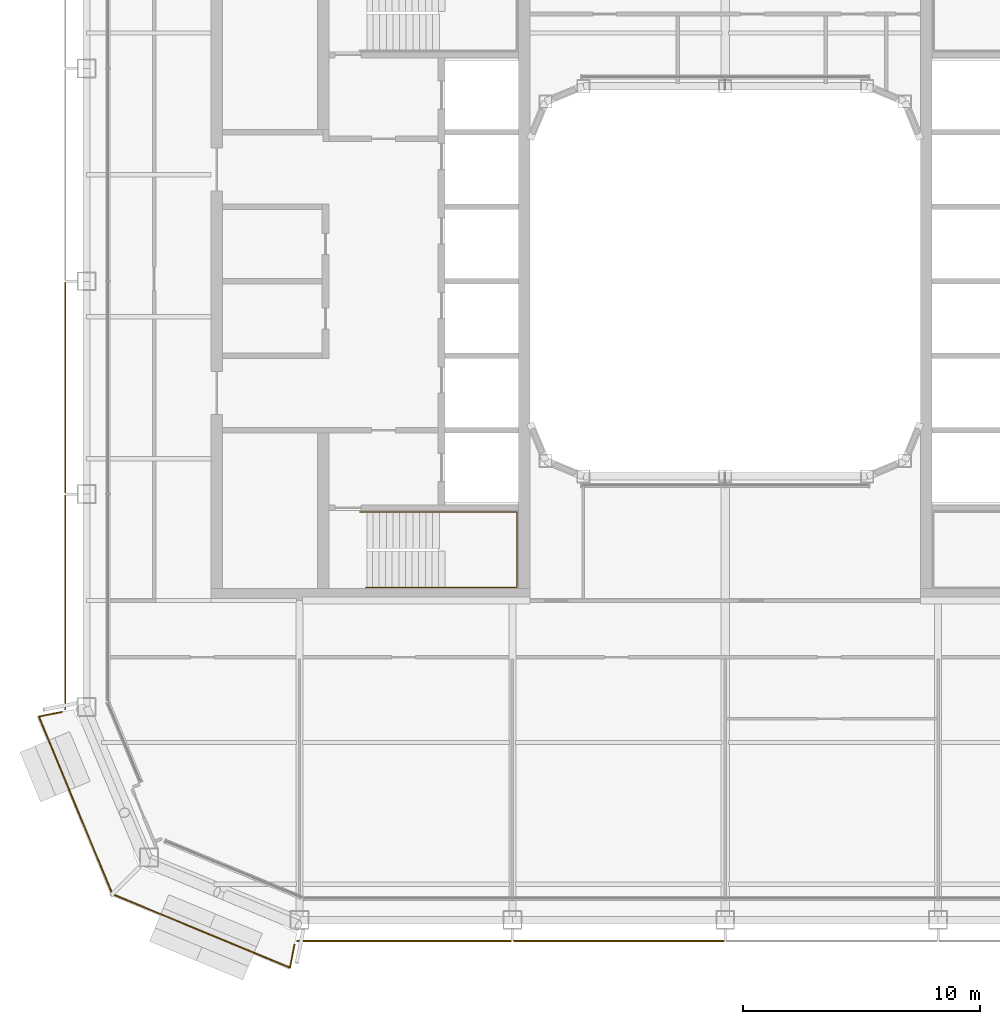
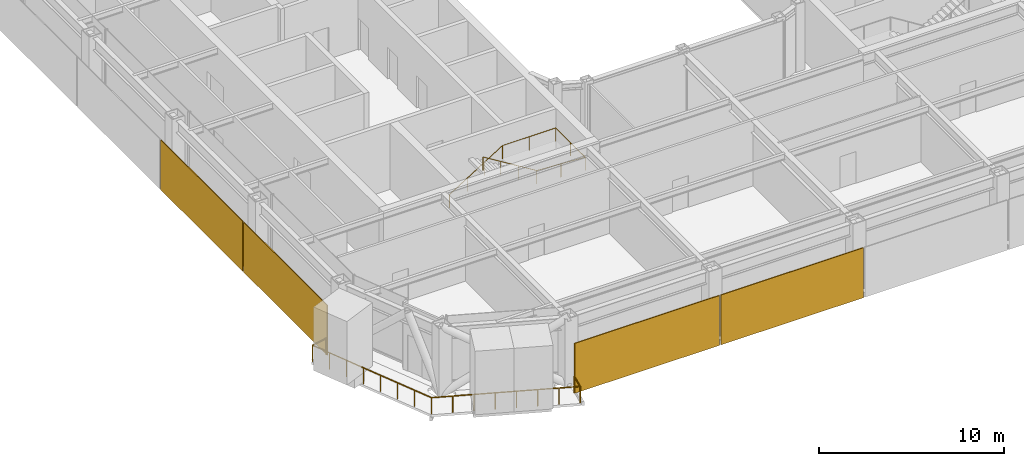
# One storey, part 19 of 23: 4 coverings, 2 railings.
"""IFC4 building model written with IfcOpenShell, lengths in metres."""

from ifc_helpers import new_model, si_unit, direction, frame, origin, origin_2d, place, context, subcontext, project, spatial, rectangle, circle, extrude, material, layer, layer_set, type_object, element, save


model = new_model("IFC4")

# Units and contexts
model_context = context("Model", 3, precision=1e-05, world=origin(), true_north=direction((0.0, 1.0)))
body_context = subcontext(model_context, "Body", "Model", "MODEL_VIEW")
ifc_project = project(units=[si_unit("LENGTHUNIT", "METRE"), si_unit("AREAUNIT", "SQUARE_METRE"), si_unit("VOLUMEUNIT", "CUBIC_METRE"), si_unit("PLANEANGLEUNIT", "RADIAN"), si_unit("MASSUNIT", "GRAM", prefix="KILO")], contexts=[model_context])

# Site, building, storey
site_placement = place(None, origin())
site = spatial("IfcSite", under=ifc_project, at=site_placement, CompositionType="ELEMENT")
building_placement = place(site_placement, origin())
building = spatial("IfcBuilding", under=site, at=building_placement, Name="Siwar Civic Tower", CompositionType="ELEMENT")
storey_placement = place(building_placement, frame((0.0, 0.0, 251.199951171875)))
storey = spatial("IfcBuildingStorey", under=building, at=storey_placement, Name="L54", CompositionType="ELEMENT", Elevation=251.199951171875)

# Railings
ifc_material_1 = material(Name="Stainless steel", Category="steel")
railing_type_1 = type_object("IfcRailingType", Name="CORE-STAIR-HANDRAIL", PredefinedType="HANDRAIL", material=ifc_material_1)
railing_1_placement = place(storey_placement, frame((-15.449951171875, -9.758056640625, 0.173095703125)))
element("IfcRailing", 1, at=railing_1_placement, inside=storey, type_object=railing_type_1, Name="Stair handrail ST2", PredefinedType="HANDRAIL", context=body_context, shape_type="SweptSolid", body=[
    extrude(circle(Radius=0.02001953125, at=origin_2d()), frame((0.0, 0.0, 0.8798828125), z_axis=(0.847063342986, 0.0, 0.531491950051), x_axis=(0.0, 1.0, 0.0)), (0.0, 0.0, 1.0), 3.90771484375),
    extrude(circle(Radius=0.02001953125, at=origin_2d()), frame((3.31005859375, 0.0, 2.956787109375), z_axis=(1.0, 0.0, 0.0), x_axis=(0.0, 1.0, 0.0)), (0.0, 0.0, 1.0), 3.331787109375),
    extrude(circle(Radius=0.02001953125, at=origin_2d()), frame((6.641845703125, 0.0, 2.956787109375), z_axis=(0.0, -1.0, 0.0), x_axis=(1.0, 0.0, 0.0)), (0.0, 0.0, 1.0), 3.183837890625),
    extrude(circle(Radius=0.02001953125, at=origin_2d()), frame((6.641845703125, -3.183837890625, 2.956787109375), z_axis=(-0.99837434197, 0.0, 0.056997134106), x_axis=(0.0, -1.0, 0.0)), (0.0, 0.0, 1.0), 3.036865234375),
    extrude(circle(Radius=0.02001953125, at=origin_2d()), frame((3.60986328125, -3.183837890625, 3.1298828125), z_axis=(-0.850606129759, 0.0, 0.525803396734), x_axis=(0.0, -1.0, 0.0)), (0.0, 0.0, 1.0), 3.949951171875),
    extrude(circle(Radius=0.02001953125, at=origin_2d()), origin(), (0.0, 0.0, 1.0), 0.85986328125),
    extrude(circle(Radius=0.02001953125, at=origin_2d()), frame((1.103271484375, 0.0, 0.6923828125)), (0.0, 0.0, 1.0), 0.85986328125),
    extrude(circle(Radius=0.02001953125, at=origin_2d()), frame((2.206787109375, 0.0, 1.384521484375)), (0.0, 0.0, 1.0), 0.85986328125),
    extrude(circle(Radius=0.02001953125, at=origin_2d()), frame((3.31005859375, 0.0, 2.076904296875)), (0.0, 0.0, 1.0), 0.85986328125),
    extrude(circle(Radius=0.02001953125, at=origin_2d()), frame((4.97607421875, 0.0, 2.076904296875)), (0.0, 0.0, 1.0), 0.85986328125),
    extrude(circle(Radius=0.02001953125, at=origin_2d()), frame((6.641845703125, 0.0, 2.076904296875)), (0.0, 0.0, 1.0), 0.85986328125),
    extrude(circle(Radius=0.02001953125, at=origin_2d()), frame((6.641845703125, -1.591796875, 2.076904296875)), (0.0, 0.0, 1.0), 0.85986328125),
    extrude(circle(Radius=0.02001953125, at=origin_2d()), frame((6.641845703125, -3.183837890625, 2.076904296875)), (0.0, 0.0, 1.0), 0.85986328125),
    extrude(circle(Radius=0.02001953125, at=origin_2d()), frame((5.1259765625, -3.183837890625, 2.16357421875)), (0.0, 0.0, 1.0), 0.85986328125),
    extrude(circle(Radius=0.02001953125, at=origin_2d()), frame((3.60986328125, -3.183837890625, 2.25)), (0.0, 0.0, 1.0), 0.85986328125),
    extrude(circle(Radius=0.02001953125, at=origin_2d()), frame((2.489990234375, -3.183837890625, 2.9423828125)), (0.0, 0.0, 1.0), 0.85986328125),
    extrude(circle(Radius=0.02001953125, at=origin_2d()), frame((1.369873046875, -3.183837890625, 3.634521484375)), (0.0, 0.0, 1.0), 0.85986328125),
    extrude(circle(Radius=0.02001953125, at=origin_2d()), frame((0.25, -3.183837890625, 4.326904296875)), (0.0, 0.0, 1.0), 0.85986328125),
])
ifc_material_2 = material(Name="Stainless steel 316", Category="steel")
railing_type_2 = type_object("IfcRailingType", Name="ENV-GUARD", PredefinedType="GUARDRAIL", material=ifc_material_2)
railing_2_placement = place(storey_placement, frame((-28.047119140625, -18.208251953125, 0.0)))
element("IfcRailing", 2, at=railing_2_placement, inside=storey, type_object=railing_type_2, Name="Balcony guard SW", PredefinedType="GUARDRAIL", context=body_context, shape_type="SweptSolid", body=[
    extrude(circle(Radius=0.02392578125, at=origin_2d()), frame((0.0, 0.0, 1.076171875), z_axis=(-0.980778661911, -0.195123592472, 0.0), x_axis=(0.195123592472, -0.980778661911, 0.0)), (0.0, 0.0, 1.0), 0.993408203125),
    extrude(circle(Radius=0.02392578125, at=origin_2d()), frame((-0.974365234375, -0.19384765625, 1.076171875), z_axis=(0.382176720888, -0.924089256518, 0.0), x_axis=(0.924089256518, 0.382176720888, 0.0)), (0.0, 0.0, 1.0), 8.129638671875),
    extrude(circle(Radius=0.02392578125, at=origin_2d()), frame((2.132568359375, -7.706298828125, 1.076171875), z_axis=(0.924089256518, -0.382176720888, 0.0), x_axis=(0.382176720888, 0.924089256518, 0.0)), (0.0, 0.0, 1.0), 8.129638671875),
    extrude(circle(Radius=0.02392578125, at=origin_2d()), frame((9.64501953125, -10.813232421875, 1.076171875), z_axis=(0.195123592472, 0.980778661911, 0.0), x_axis=(-0.980778661911, 0.195123592472, 0.0)), (0.0, 0.0, 1.0), 0.993408203125),
    extrude(circle(Radius=0.02099609375, at=origin_2d()), origin(), (0.0, 0.0, 1.0), 1.052001953125),
    extrude(circle(Radius=0.02099609375, at=origin_2d()), frame((-0.974365234375, -0.19384765625, 0.0)), (0.0, 0.0, 1.0), 1.052001953125),
    extrude(circle(Radius=0.02099609375, at=origin_2d()), frame((-0.530517578125, -1.26708984375, 0.0)), (0.0, 0.0, 1.0), 1.052001953125),
    extrude(circle(Radius=0.02099609375, at=origin_2d()), frame((-0.086669921875, -2.34033203125, 0.0)), (0.0, 0.0, 1.0), 1.052001953125),
    extrude(circle(Radius=0.02099609375, at=origin_2d()), frame((0.357177734375, -3.41357421875, 0.0)), (0.0, 0.0, 1.0), 1.052001953125),
    extrude(circle(Radius=0.02099609375, at=origin_2d()), frame((0.801025390625, -4.486572265625, 0.0)), (0.0, 0.0, 1.0), 1.052001953125),
    extrude(circle(Radius=0.02099609375, at=origin_2d()), frame((1.244873046875, -5.559814453125, 0.0)), (0.0, 0.0, 1.0), 1.052001953125),
    extrude(circle(Radius=0.02099609375, at=origin_2d()), frame((1.688720703125, -6.633056640625, 0.0)), (0.0, 0.0, 1.0), 1.052001953125),
    extrude(circle(Radius=0.02099609375, at=origin_2d()), frame((2.132568359375, -7.706298828125, 0.0)), (0.0, 0.0, 1.0), 1.052001953125),
    extrude(circle(Radius=0.02099609375, at=origin_2d()), frame((3.205810546875, -8.150146484375, 0.0)), (0.0, 0.0, 1.0), 1.052001953125),
    extrude(circle(Radius=0.02099609375, at=origin_2d()), frame((4.279052734375, -8.593994140625, 0.0)), (0.0, 0.0, 1.0), 1.052001953125),
    extrude(circle(Radius=0.02099609375, at=origin_2d()), frame((5.352294921875, -9.037841796875, 0.0)), (0.0, 0.0, 1.0), 1.052001953125),
    extrude(circle(Radius=0.02099609375, at=origin_2d()), frame((6.42529296875, -9.481689453125, 0.0)), (0.0, 0.0, 1.0), 1.052001953125),
    extrude(circle(Radius=0.02099609375, at=origin_2d()), frame((7.49853515625, -9.925537109375, 0.0)), (0.0, 0.0, 1.0), 1.052001953125),
    extrude(circle(Radius=0.02099609375, at=origin_2d()), frame((8.57177734375, -10.369384765625, 0.0)), (0.0, 0.0, 1.0), 1.052001953125),
    extrude(circle(Radius=0.02099609375, at=origin_2d()), frame((9.64501953125, -10.813232421875, 0.0)), (0.0, 0.0, 1.0), 1.052001953125),
    extrude(circle(Radius=0.02099609375, at=origin_2d()), frame((9.8388671875, -9.8388671875, 0.0)), (0.0, 0.0, 1.0), 1.052001953125),
])

# Coverings
ifc_material_3 = material(Name="Perforated aluminium cassette, pale metal", Category="aluminium")
ifc_layer_1 = layer(ifc_material_3, 0.050048828125)
ifc_layer_set_1 = layer_set([ifc_layer_1], Name="Perforated aluminium cassette, pale metal")
covering_type_1 = type_object("IfcCoveringType", Name="ENV-OUTER SKIN OS-3", PredefinedType="CLADDING", material=ifc_layer_set_1)
covering_1_placement = place(storey_placement, frame((-27.89990234375, -4.5, -0.14990234375), z_axis=(0.0, 0.0, 1.0), x_axis=(0.0, -1.0, 0.0)))
element("IfcCovering", 3, at=covering_1_placement, inside=storey, type_object=covering_type_1, Name="OUTER SKIN OS-3 W 3", PredefinedType="CLADDING", context=body_context, shape_type="SweptSolid", body=[
    extrude(rectangle(XDim=8.89990234375, YDim=0.050048828125, at=origin_2d()), origin(), (0.0, 0.0, 1.0), 3.300048828125),
])
covering_2_placement = place(storey_placement, frame((-27.89990234375, -13.57958984375, -0.14990234375), z_axis=(0.0, 0.0, 1.0), x_axis=(0.0, -1.0, 0.0)))
element("IfcCovering", 4, at=covering_2_placement, inside=storey, type_object=covering_type_1, Name="OUTER SKIN OS-3 W 4", PredefinedType="CLADDING", context=body_context, shape_type="SweptSolid", body=[
    extrude(rectangle(XDim=9.05908203125, YDim=0.050048828125, at=origin_2d()), origin(), (0.0, 0.0, 1.0), 3.300048828125),
])
ifc_material_4 = material(Name="Perforated aluminium cassette, pale metal", Category="aluminium")
ifc_layer_2 = layer(ifc_material_4, 0.054931640625)
ifc_layer_set_2 = layer_set([ifc_layer_2], Name="Perforated aluminium cassette, pale metal")
covering_type_2 = type_object("IfcCoveringType", Name="ENV-OUTER SKIN OS-4", PredefinedType="CLADDING", material=ifc_layer_set_2)
covering_3_placement = place(storey_placement, frame((-13.57958984375, -27.89990234375, -0.14990234375), z_axis=(0.0, 0.0, 1.0), x_axis=(1.0, 0.0, 0.0)))
element("IfcCovering", 5, at=covering_3_placement, inside=storey, type_object=covering_type_2, Name="OUTER SKIN OS-4 S 1", PredefinedType="CLADDING", context=body_context, shape_type="SweptSolid", body=[
    extrude(rectangle(XDim=9.05908203125, YDim=0.054931640625, at=origin_2d()), origin(), (0.0, 0.0, 1.0), 3.300048828125),
])
covering_4_placement = place(storey_placement, frame((-4.5, -27.89990234375, -0.14990234375), z_axis=(0.0, 0.0, 1.0), x_axis=(1.0, 0.0, 0.0)))
element("IfcCovering", 6, at=covering_4_placement, inside=storey, type_object=covering_type_2, Name="OUTER SKIN OS-4 S 2", PredefinedType="CLADDING", context=body_context, shape_type="SweptSolid", body=[
    extrude(rectangle(XDim=8.89990234375, YDim=0.054931640625, at=origin_2d()), origin(), (0.0, 0.0, 1.0), 3.300048828125),
])

save(model, "model.ifc")
